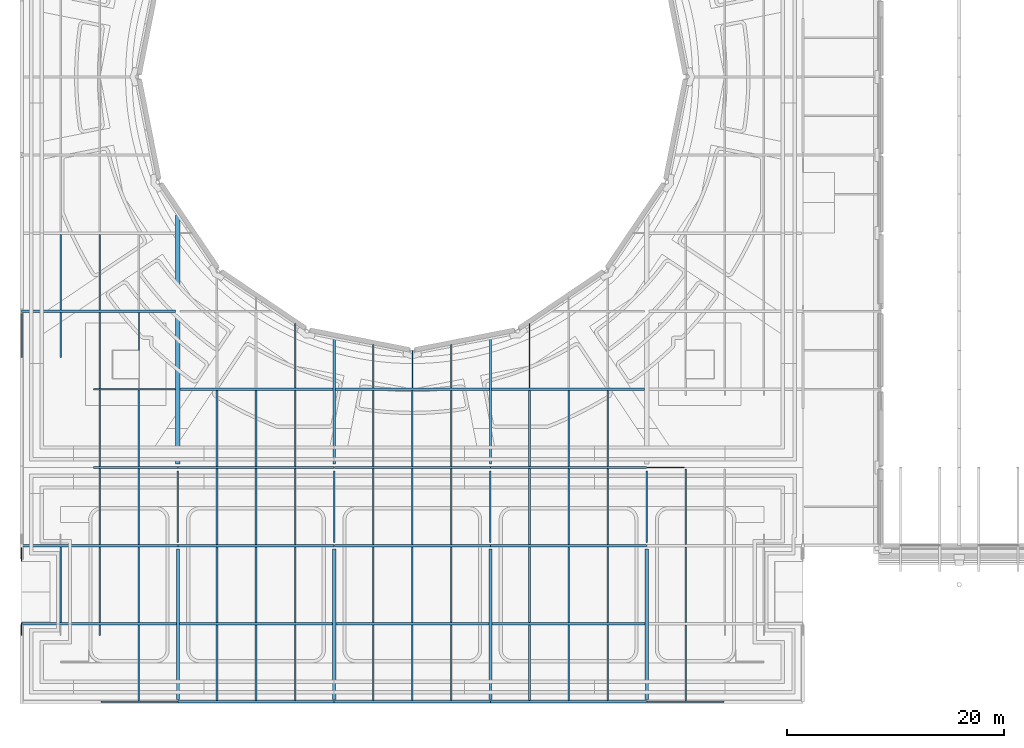
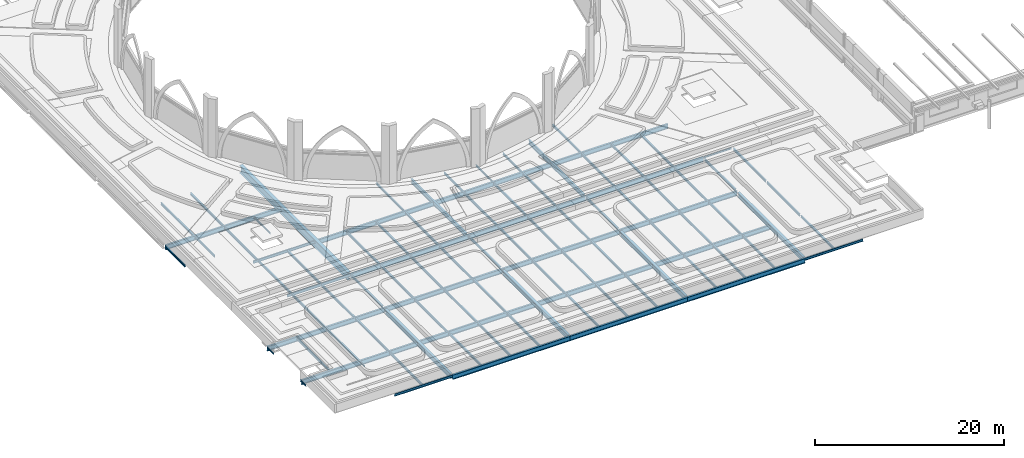
# One storey, part 20 of 110: 95 beams.
"""IFC4 building model written with IfcOpenShell, lengths in metres."""

from ifc_helpers import new_model, si_unit, direction, frame, origin, origin_2d, place, context, subcontext, project, spatial, i_section, extrude, material, material_profile, profile_set, type_object, element, save


model = new_model("IFC4")

# Units and contexts
model_context = context("Model", 3, precision=1e-05, world=origin(), true_north=direction((0.0, 1.0)))
body_context = subcontext(model_context, "Body", "Model", "MODEL_VIEW")
ifc_project = project(units=[si_unit("LENGTHUNIT", "METRE"), si_unit("AREAUNIT", "SQUARE_METRE"), si_unit("VOLUMEUNIT", "CUBIC_METRE"), si_unit("PLANEANGLEUNIT", "RADIAN"), si_unit("MASSUNIT", "GRAM", prefix="KILO")], contexts=[model_context])

# Site, building, storey
site_placement = place(None, origin())
site = spatial("IfcSite", under=ifc_project, at=site_placement, CompositionType="ELEMENT")
building_placement = place(site_placement, origin())
building = spatial("IfcBuilding", under=site, at=building_placement, Name="Kupolbacken Congress Centre", CompositionType="ELEMENT")
storey_placement = place(building_placement, frame((0.0, 0.0, 18.0)))
storey = spatial("IfcBuildingStorey", under=building, at=storey_placement, Name="L05", CompositionType="ELEMENT", Elevation=18.0)

# Beams
ifc_material_1 = material(Name="Steel S355", Category="steel")
ifc_material_profile_1 = material_profile(ifc_material_1, i_section(OverallWidth=0.10009765625, OverallDepth=0.199951171875, WebThickness=0.005615234375, FlangeThickness=0.008544921875, FilletRadius=0.011962890625, at=origin_2d()), Name="IPE 200")
ifc_profile_set_1 = profile_set([ifc_material_profile_1], Name="Steel S355")
beam_type_1 = type_object("IfcBeamType", Name="B01 beam IPE 200", PredefinedType="BEAM", material=ifc_profile_set_1)
beam_1_placement = place(storey_placement, frame((7.199951171875, 34.925048828125, -0.280029296875), z_axis=(0.0, 1.0, 0.0), x_axis=(-1.0, 0.0, 0.0)))
element("IfcBeam", 1, at=beam_1_placement, inside=storey, type_object=beam_type_1, Name="S/floor/F/L05/G001", PredefinedType="BEAM", context=body_context, shape_type="SweptSolid", body=[
    extrude(i_section(OverallWidth=0.10009765625, OverallDepth=0.199951171875, WebThickness=0.005615234375, FlangeThickness=0.008544921875, FilletRadius=0.011962890625, at=origin_2d()), origin(), (0.0, 0.0, 1.0), 1.184814453125),
])
beam_2_placement = place(storey_placement, frame((7.199951171875, 41.75, -0.280029296875), z_axis=(0.0, 1.0, 0.0), x_axis=(-1.0, 0.0, 0.0)))
element("IfcBeam", 2, at=beam_2_placement, inside=storey, type_object=beam_type_1, Name="S/floor/F/L05/G002", PredefinedType="BEAM", context=body_context, shape_type="SweptSolid", body=[
    extrude(i_section(OverallWidth=0.10009765625, OverallDepth=0.199951171875, WebThickness=0.005615234375, FlangeThickness=0.008544921875, FilletRadius=0.011962890625, at=origin_2d()), origin(), (0.0, 0.0, 1.0), 1.300048828125),
])
beam_3_placement = place(storey_placement, frame((64.807861328125, 50.39990234375, -0.280029296875), z_axis=(1.0, 0.0, 0.0), x_axis=(0.0, 1.0, 0.0)))
element("IfcBeam", 3, at=beam_3_placement, inside=storey, type_object=beam_type_1, Name="S/floor/F/L05/R034", PredefinedType="BEAM", context=body_context, shape_type="SweptSolid", body=[
    extrude(i_section(OverallWidth=0.10009765625, OverallDepth=0.199951171875, WebThickness=0.005615234375, FlangeThickness=0.008544921875, FilletRadius=0.011962890625, at=origin_2d()), origin(), (0.0, 0.0, 1.0), 3.467041015625),
])
beam_4_placement = place(storey_placement, frame((14.39990234375, 34.89990234375, -0.280029296875), z_axis=(0.0, 1.0, 0.0), x_axis=(-1.0, 0.0, 0.0)))
element("IfcBeam", 4, at=beam_4_placement, inside=storey, type_object=beam_type_1, Name="S/floor/F/L05/S038", PredefinedType="BEAM", context=body_context, shape_type="SweptSolid", body=[
    extrude(i_section(OverallWidth=0.10009765625, OverallDepth=0.199951171875, WebThickness=0.005615234375, FlangeThickness=0.008544921875, FilletRadius=0.011962890625, at=origin_2d()), origin(), (0.0, 0.0, 1.0), 0.989990234375),
])
beam_5_placement = place(storey_placement, frame((43.199951171875, 57.7099609375, -0.280029296875), z_axis=(0.0, 1.0, 0.0), x_axis=(-1.0, 0.0, 0.0)))
element("IfcBeam", 5, at=beam_5_placement, inside=storey, type_object=beam_type_1, Name="S/floor/P/L05/S117", PredefinedType="BEAM", context=body_context, shape_type="SweptSolid", body=[
    extrude(i_section(OverallWidth=0.10009765625, OverallDepth=0.199951171875, WebThickness=0.005615234375, FlangeThickness=0.008544921875, FilletRadius=0.011962890625, at=origin_2d()), origin(), (0.0, 0.0, 1.0), 3.4833984375),
])
beam_6_placement = place(storey_placement, frame((18.0, 61.199951171875, -0.280029296875), z_axis=(0.0, 1.0, 0.0), x_axis=(-1.0, 0.0, 0.0)))
element("IfcBeam", 6, at=beam_6_placement, inside=storey, type_object=beam_type_1, Name="S/floor/P/L05/S163", PredefinedType="BEAM", context=body_context, shape_type="SweptSolid", body=[
    extrude(i_section(OverallWidth=0.10009765625, OverallDepth=0.199951171875, WebThickness=0.005615234375, FlangeThickness=0.008544921875, FilletRadius=0.011962890625, at=origin_2d()), origin(), (0.0, 0.0, 1.0), 3.489990234375),
])
ifc_material_2 = material(Name="Steel S355", Category="steel")
ifc_material_profile_2 = material_profile(ifc_material_2, i_section(OverallWidth=0.135009765625, OverallDepth=0.27001953125, WebThickness=0.006591796875, FlangeThickness=0.01025390625, FilletRadius=0.014892578125, at=origin_2d()), Name="IPE 270")
ifc_profile_set_2 = profile_set([ifc_material_profile_2], Name="Steel S355")
beam_type_2 = type_object("IfcBeamType", Name="B03 beam IPE 270", PredefinedType="BEAM", material=ifc_profile_set_2)
beam_7_placement = place(storey_placement, frame((7.199951171875, 60.52490234375, -0.31494140625), z_axis=(0.0, 1.0, 0.0), x_axis=(-1.0, 0.0, 0.0)))
element("IfcBeam", 7, at=beam_7_placement, inside=storey, type_object=beam_type_2, Name="S/floor/P/L05/G017", PredefinedType="BEAM", context=body_context, shape_type="SweptSolid", body=[
    extrude(i_section(OverallWidth=0.135009765625, OverallDepth=0.27001953125, WebThickness=0.006591796875, FlangeThickness=0.01025390625, FilletRadius=0.014892578125, at=origin_2d()), origin(), (0.0, 0.0, 1.0), 4.050048828125),
])
beam_8_placement = place(storey_placement, frame((10.800048828125, 60.52490234375, -0.31494140625), z_axis=(0.0, 1.0, 0.0), x_axis=(-1.0, 0.0, 0.0)))
element("IfcBeam", 8, at=beam_8_placement, inside=storey, type_object=beam_type_2, Name="S/floor/P/L05/S076", PredefinedType="BEAM", context=body_context, shape_type="SweptSolid", body=[
    extrude(i_section(OverallWidth=0.135009765625, OverallDepth=0.27001953125, WebThickness=0.006591796875, FlangeThickness=0.01025390625, FilletRadius=0.014892578125, at=origin_2d()), origin(), (0.0, 0.0, 1.0), 4.1650390625),
])
beam_9_placement = place(storey_placement, frame((32.39990234375, 57.7099609375, -0.31494140625), z_axis=(0.0, 1.0, 0.0), x_axis=(-1.0, 0.0, 0.0)))
element("IfcBeam", 9, at=beam_9_placement, inside=storey, type_object=beam_type_2, Name="S/floor/P/L05/S109", PredefinedType="BEAM", context=body_context, shape_type="SweptSolid", body=[
    extrude(i_section(OverallWidth=0.135009765625, OverallDepth=0.27001953125, WebThickness=0.006591796875, FlangeThickness=0.01025390625, FilletRadius=0.014892578125, at=origin_2d()), origin(), (0.0, 0.0, 1.0), 5.939697265625),
])
for number, where, z_axis, x_axis, name in (
    (10, (39.60009765625, 57.7099609375, -0.31494140625), (0.0, 1.0, 0.0), (-1.0, 0.0, 0.0), "S/floor/P/L05/S113"),
    (11, (46.800048828125, 57.7099609375, -0.31494140625), (0.0, 1.0, 0.0), (-1.0, 0.0, 0.0), "S/floor/P/L05/S121"),
):
    element("IfcBeam", number, at=place(storey_placement, frame(where, z_axis=z_axis, x_axis=x_axis)), inside=storey, type_object=beam_type_2, Name=name, PredefinedType="BEAM", context=body_context, shape_type="SweptSolid", body=[
        extrude(i_section(OverallWidth=0.135009765625, OverallDepth=0.27001953125, WebThickness=0.006591796875, FlangeThickness=0.01025390625, FilletRadius=0.014892578125, at=origin_2d()), origin(), (0.0, 0.0, 1.0), 4.03271484375),
    ])
beam_10_placement = place(storey_placement, frame((54.0, 57.7099609375, -0.31494140625), z_axis=(0.0, 1.0, 0.0), x_axis=(-1.0, 0.0, 0.0)))
element("IfcBeam", 12, at=beam_10_placement, inside=storey, type_object=beam_type_2, Name="S/floor/P/L05/S125", PredefinedType="BEAM", context=body_context, shape_type="SweptSolid", body=[
    extrude(i_section(OverallWidth=0.135009765625, OverallDepth=0.27001953125, WebThickness=0.006591796875, FlangeThickness=0.01025390625, FilletRadius=0.014892578125, at=origin_2d()), origin(), (0.0, 0.0, 1.0), 5.939697265625),
])
ifc_material_3 = material(Name="Steel S355", Category="steel")
ifc_material_profile_3 = material_profile(ifc_material_3, i_section(OverallWidth=0.14990234375, OverallDepth=0.300048828125, WebThickness=0.007080078125, FlangeThickness=0.0107421875, FilletRadius=0.014892578125, at=origin_2d()), Name="IPE 300")
ifc_profile_set_3 = profile_set([ifc_material_profile_3], Name="Steel S355")
beam_type_3 = type_object("IfcBeamType", Name="B04 beam IPE 300", PredefinedType="BEAM", material=ifc_profile_set_3)
for number, where, z_axis, x_axis, name in (
    (13, (21.60009765625, 43.5, -0.330078125), (0.0, 1.0, 0.0), (-1.0, 0.0, 0.0), "S/floor/F/L05/G005"),
    (14, (36.0, 43.5, -0.330078125), (0.0, 1.0, 0.0), (-1.0, 0.0, 0.0), "S/floor/F/L05/G007"),
    (15, (50.39990234375, 43.5, -0.330078125), (0.0, 1.0, 0.0), (-1.0, 0.0, 0.0), "S/floor/F/L05/G009"),
    (16, (64.800048828125, 43.5, -0.330078125), (0.0, 1.0, 0.0), (-1.0, 0.0, 0.0), "S/floor/F/L05/G011"),
):
    element("IfcBeam", number, at=place(storey_placement, frame(where, z_axis=z_axis, x_axis=x_axis)), inside=storey, type_object=beam_type_3, Name=name, PredefinedType="BEAM", context=body_context, shape_type="SweptSolid", body=[
        extrude(i_section(OverallWidth=0.14990234375, OverallDepth=0.300048828125, WebThickness=0.007080078125, FlangeThickness=0.0107421875, FilletRadius=0.014892578125, at=origin_2d()), origin(), (0.0, 0.0, 1.0), 6.60009765625),
    ])
for number, where, z_axis, x_axis, name in (
    (17, (14.5, 28.800048828125, -0.330078125), (1.0, 0.0, 0.0), (0.0, 1.0, 0.0), "S/floor/F/L05/R015"),
    (18, (64.806884765625, 28.800048828125, -0.330078125), (1.0, 0.0, 0.0), (0.0, 1.0, 0.0), "S/floor/F/L05/R019"),
):
    element("IfcBeam", number, at=place(storey_placement, frame(where, z_axis=z_axis, x_axis=x_axis)), inside=storey, type_object=beam_type_3, Name=name, PredefinedType="BEAM", context=body_context, shape_type="SweptSolid", body=[
        extrude(i_section(OverallWidth=0.14990234375, OverallDepth=0.300048828125, WebThickness=0.007080078125, FlangeThickness=0.0107421875, FilletRadius=0.014892578125, at=origin_2d()), origin(), (0.0, 0.0, 1.0), 7.093017578125),
    ])
for number, where, z_axis, x_axis, name in (
    (19, (10.800048828125, 36.110107421875, -0.330078125), (0.0, 1.0, 0.0), (-1.0, 0.0, 0.0), "S/floor/F/L05/S036"),
    (20, (14.39990234375, 36.110107421875, -0.330078125), (0.0, 1.0, 0.0), (-1.0, 0.0, 0.0), "S/floor/F/L05/S039"),
):
    element("IfcBeam", number, at=place(storey_placement, frame(where, z_axis=z_axis, x_axis=x_axis)), inside=storey, type_object=beam_type_3, Name=name, PredefinedType="BEAM", context=body_context, shape_type="SweptSolid", body=[
        extrude(i_section(OverallWidth=0.14990234375, OverallDepth=0.300048828125, WebThickness=0.007080078125, FlangeThickness=0.0107421875, FilletRadius=0.014892578125, at=origin_2d()), origin(), (0.0, 0.0, 1.0), 6.97998046875),
    ])
beam_11_placement = place(storey_placement, frame((14.39990234375, 43.31005859375, -0.330078125), z_axis=(0.0, 1.0, 0.0), x_axis=(-1.0, 0.0, 0.0)))
element("IfcBeam", 21, at=beam_11_placement, inside=storey, type_object=beam_type_3, Name="S/floor/F/L05/S040", PredefinedType="BEAM", context=body_context, shape_type="SweptSolid", body=[
    extrude(i_section(OverallWidth=0.14990234375, OverallDepth=0.300048828125, WebThickness=0.007080078125, FlangeThickness=0.0107421875, FilletRadius=0.014892578125, at=origin_2d()), origin(), (0.0, 0.0, 1.0), 7.010009765625),
])
beam_12_placement = place(storey_placement, frame((18.0, 28.875, -0.330078125), z_axis=(0.0, 1.0, 0.0), x_axis=(-1.0, 0.0, 0.0)))
element("IfcBeam", 22, at=beam_12_placement, inside=storey, type_object=beam_type_3, Name="S/floor/F/L05/S041", PredefinedType="BEAM", context=body_context, shape_type="SweptSolid", body=[
    extrude(i_section(OverallWidth=0.14990234375, OverallDepth=0.300048828125, WebThickness=0.007080078125, FlangeThickness=0.0107421875, FilletRadius=0.014892578125, at=origin_2d()), origin(), (0.0, 0.0, 1.0), 7.014892578125),
])
beam_13_placement = place(storey_placement, frame((18.0, 36.110107421875, -0.330078125), z_axis=(0.0, 1.0, 0.0), x_axis=(-1.0, 0.0, 0.0)))
element("IfcBeam", 23, at=beam_13_placement, inside=storey, type_object=beam_type_3, Name="S/floor/F/L05/S042", PredefinedType="BEAM", context=body_context, shape_type="SweptSolid", body=[
    extrude(i_section(OverallWidth=0.14990234375, OverallDepth=0.300048828125, WebThickness=0.007080078125, FlangeThickness=0.0107421875, FilletRadius=0.014892578125, at=origin_2d()), origin(), (0.0, 0.0, 1.0), 6.97998046875),
])
beam_14_placement = place(storey_placement, frame((18.0, 43.31005859375, -0.330078125), z_axis=(0.0, 1.0, 0.0), x_axis=(-1.0, 0.0, 0.0)))
element("IfcBeam", 24, at=beam_14_placement, inside=storey, type_object=beam_type_3, Name="S/floor/F/L05/S043", PredefinedType="BEAM", context=body_context, shape_type="SweptSolid", body=[
    extrude(i_section(OverallWidth=0.14990234375, OverallDepth=0.300048828125, WebThickness=0.007080078125, FlangeThickness=0.0107421875, FilletRadius=0.014892578125, at=origin_2d()), origin(), (0.0, 0.0, 1.0), 7.010009765625),
])
for number, where, z_axis, x_axis, name in (
    (25, (25.199951171875, 28.909912109375, -0.330078125), (0.0, 1.0, 0.0), (-1.0, 0.0, 0.0), "S/floor/F/L05/S044"),
    (26, (25.199951171875, 36.110107421875, -0.330078125), (0.0, 1.0, 0.0), (-1.0, 0.0, 0.0), "S/floor/F/L05/S045"),
    (27, (25.199951171875, 43.31005859375, -0.330078125), (0.0, 1.0, 0.0), (-1.0, 0.0, 0.0), "S/floor/F/L05/S046"),
    (28, (28.800048828125, 28.909912109375, -0.330078125), (0.0, 1.0, 0.0), (-1.0, 0.0, 0.0), "S/floor/F/L05/S047"),
    (29, (28.800048828125, 36.110107421875, -0.330078125), (0.0, 1.0, 0.0), (-1.0, 0.0, 0.0), "S/floor/F/L05/S048"),
    (30, (28.800048828125, 43.31005859375, -0.330078125), (0.0, 1.0, 0.0), (-1.0, 0.0, 0.0), "S/floor/F/L05/S049"),
    (31, (32.39990234375, 28.909912109375, -0.330078125), (0.0, 1.0, 0.0), (-1.0, 0.0, 0.0), "S/floor/F/L05/S050"),
    (32, (32.39990234375, 36.110107421875, -0.330078125), (0.0, 1.0, 0.0), (-1.0, 0.0, 0.0), "S/floor/F/L05/S051"),
    (33, (32.39990234375, 43.31005859375, -0.330078125), (0.0, 1.0, 0.0), (-1.0, 0.0, 0.0), "S/floor/F/L05/S052"),
    (34, (39.60009765625, 28.909912109375, -0.330078125), (0.0, 1.0, 0.0), (-1.0, 0.0, 0.0), "S/floor/F/L05/S053"),
    (35, (39.60009765625, 36.110107421875, -0.330078125), (0.0, 1.0, 0.0), (-1.0, 0.0, 0.0), "S/floor/F/L05/S054"),
    (36, (39.60009765625, 43.31005859375, -0.330078125), (0.0, 1.0, 0.0), (-1.0, 0.0, 0.0), "S/floor/F/L05/S055"),
    (37, (43.199951171875, 28.909912109375, -0.330078125), (0.0, 1.0, 0.0), (-1.0, 0.0, 0.0), "S/floor/F/L05/S056"),
    (38, (43.199951171875, 36.110107421875, -0.330078125), (0.0, 1.0, 0.0), (-1.0, 0.0, 0.0), "S/floor/F/L05/S057"),
    (39, (43.199951171875, 43.31005859375, -0.330078125), (0.0, 1.0, 0.0), (-1.0, 0.0, 0.0), "S/floor/F/L05/S058"),
    (40, (46.800048828125, 28.909912109375, -0.330078125), (0.0, 1.0, 0.0), (-1.0, 0.0, 0.0), "S/floor/F/L05/S059"),
    (41, (46.800048828125, 36.110107421875, -0.330078125), (0.0, 1.0, 0.0), (-1.0, 0.0, 0.0), "S/floor/F/L05/S060"),
    (42, (46.800048828125, 43.31005859375, -0.330078125), (0.0, 1.0, 0.0), (-1.0, 0.0, 0.0), "S/floor/F/L05/S061"),
    (43, (54.0, 28.909912109375, -0.330078125), (0.0, 1.0, 0.0), (-1.0, 0.0, 0.0), "S/floor/F/L05/S062"),
    (44, (54.0, 36.110107421875, -0.330078125), (0.0, 1.0, 0.0), (-1.0, 0.0, 0.0), "S/floor/F/L05/S063"),
    (45, (54.0, 43.31005859375, -0.330078125), (0.0, 1.0, 0.0), (-1.0, 0.0, 0.0), "S/floor/F/L05/S064"),
    (46, (57.60009765625, 28.909912109375, -0.330078125), (0.0, 1.0, 0.0), (-1.0, 0.0, 0.0), "S/floor/F/L05/S065"),
    (47, (57.60009765625, 36.110107421875, -0.330078125), (0.0, 1.0, 0.0), (-1.0, 0.0, 0.0), "S/floor/F/L05/S066"),
    (48, (57.60009765625, 43.31005859375, -0.330078125), (0.0, 1.0, 0.0), (-1.0, 0.0, 0.0), "S/floor/F/L05/S067"),
    (49, (61.199951171875, 28.909912109375, -0.330078125), (0.0, 1.0, 0.0), (-1.0, 0.0, 0.0), "S/floor/F/L05/S068"),
    (50, (61.199951171875, 36.110107421875, -0.330078125), (0.0, 1.0, 0.0), (-1.0, 0.0, 0.0), "S/floor/F/L05/S069"),
    (51, (61.199951171875, 43.31005859375, -0.330078125), (0.0, 1.0, 0.0), (-1.0, 0.0, 0.0), "S/floor/F/L05/S070"),
):
    element("IfcBeam", number, at=place(storey_placement, frame(where, z_axis=z_axis, x_axis=x_axis)), inside=storey, type_object=beam_type_3, Name=name, PredefinedType="BEAM", context=body_context, shape_type="SweptSolid", body=[
        extrude(i_section(OverallWidth=0.14990234375, OverallDepth=0.300048828125, WebThickness=0.007080078125, FlangeThickness=0.0107421875, FilletRadius=0.014892578125, at=origin_2d()), origin(), (0.0, 0.0, 1.0), 6.97998046875),
    ])
beam_15_placement = place(storey_placement, frame((68.39990234375, 28.875, -0.330078125), z_axis=(0.0, 1.0, 0.0), x_axis=(-1.0, 0.0, 0.0)))
element("IfcBeam", 52, at=beam_15_placement, inside=storey, type_object=beam_type_3, Name="S/floor/F/L05/S071", PredefinedType="BEAM", context=body_context, shape_type="SweptSolid", body=[
    extrude(i_section(OverallWidth=0.14990234375, OverallDepth=0.300048828125, WebThickness=0.007080078125, FlangeThickness=0.0107421875, FilletRadius=0.014892578125, at=origin_2d()), origin(), (0.0, 0.0, 1.0), 7.014892578125),
])
beam_16_placement = place(storey_placement, frame((68.39990234375, 36.110107421875, -0.330078125), z_axis=(0.0, 1.0, 0.0), x_axis=(-1.0, 0.0, 0.0)))
element("IfcBeam", 53, at=beam_16_placement, inside=storey, type_object=beam_type_3, Name="S/floor/F/L05/S072", PredefinedType="BEAM", context=body_context, shape_type="SweptSolid", body=[
    extrude(i_section(OverallWidth=0.14990234375, OverallDepth=0.300048828125, WebThickness=0.007080078125, FlangeThickness=0.0107421875, FilletRadius=0.014892578125, at=origin_2d()), origin(), (0.0, 0.0, 1.0), 6.97998046875),
])
beam_17_placement = place(storey_placement, frame((68.39990234375, 43.31005859375, -0.330078125), z_axis=(0.0, 1.0, 0.0), x_axis=(-1.0, 0.0, 0.0)))
element("IfcBeam", 54, at=beam_17_placement, inside=storey, type_object=beam_type_3, Name="S/floor/F/L05/S073", PredefinedType="BEAM", context=body_context, shape_type="SweptSolid", body=[
    extrude(i_section(OverallWidth=0.14990234375, OverallDepth=0.300048828125, WebThickness=0.007080078125, FlangeThickness=0.0107421875, FilletRadius=0.014892578125, at=origin_2d()), origin(), (0.0, 0.0, 1.0), 6.96484375),
])
beam_18_placement = place(storey_placement, frame((10.800048828125, 64.909912109375, -0.330078125), z_axis=(0.0, 1.0, 0.0), x_axis=(-1.0, 0.0, 0.0)))
element("IfcBeam", 55, at=beam_18_placement, inside=storey, type_object=beam_type_3, Name="S/floor/P/L05/S077", PredefinedType="BEAM", context=body_context, shape_type="SweptSolid", body=[
    extrude(i_section(OverallWidth=0.14990234375, OverallDepth=0.300048828125, WebThickness=0.007080078125, FlangeThickness=0.0107421875, FilletRadius=0.014892578125, at=origin_2d()), origin(), (0.0, 0.0, 1.0), 6.97998046875),
])
beam_19_placement = place(storey_placement, frame((14.39990234375, 50.48095703125, -0.330078125), z_axis=(0.0, 1.0, 0.0), x_axis=(-1.0, 0.0, 0.0)))
element("IfcBeam", 56, at=beam_19_placement, inside=storey, type_object=beam_type_3, Name="S/floor/P/L05/S085", PredefinedType="BEAM", context=body_context, shape_type="SweptSolid", body=[
    extrude(i_section(OverallWidth=0.14990234375, OverallDepth=0.300048828125, WebThickness=0.007080078125, FlangeThickness=0.0107421875, FilletRadius=0.014892578125, at=origin_2d()), origin(), (0.0, 0.0, 1.0), 7.0390625),
])
beam_20_placement = place(storey_placement, frame((14.39990234375, 57.679931640625, -0.330078125), z_axis=(0.0, 1.0, 0.0), x_axis=(-1.0, 0.0, 0.0)))
element("IfcBeam", 57, at=beam_20_placement, inside=storey, type_object=beam_type_3, Name="S/floor/P/L05/S086", PredefinedType="BEAM", context=body_context, shape_type="SweptSolid", body=[
    extrude(i_section(OverallWidth=0.14990234375, OverallDepth=0.300048828125, WebThickness=0.007080078125, FlangeThickness=0.0107421875, FilletRadius=0.014892578125, at=origin_2d()), origin(), (0.0, 0.0, 1.0), 7.010009765625),
])
for number, where, z_axis, x_axis, name in (
    (58, (14.39990234375, 64.909912109375, -0.330078125), (0.0, 1.0, 0.0), (-1.0, 0.0, 0.0), "S/floor/P/L05/S087"),
    (59, (25.199951171875, 50.510009765625, -0.330078125), (0.0, 1.0, 0.0), (-1.0, 0.0, 0.0), "S/floor/P/L05/S096"),
    (60, (28.800048828125, 50.510009765625, -0.330078125), (0.0, 1.0, 0.0), (-1.0, 0.0, 0.0), "S/floor/P/L05/S102"),
    (61, (32.39990234375, 50.510009765625, -0.330078125), (0.0, 1.0, 0.0), (-1.0, 0.0, 0.0), "S/floor/P/L05/S108"),
    (62, (39.60009765625, 50.510009765625, -0.330078125), (0.0, 1.0, 0.0), (-1.0, 0.0, 0.0), "S/floor/P/L05/S112"),
    (63, (43.199951171875, 50.510009765625, -0.330078125), (0.0, 1.0, 0.0), (-1.0, 0.0, 0.0), "S/floor/P/L05/S116"),
    (64, (46.800048828125, 50.510009765625, -0.330078125), (0.0, 1.0, 0.0), (-1.0, 0.0, 0.0), "S/floor/P/L05/S120"),
    (65, (54.0, 50.510009765625, -0.330078125), (0.0, 1.0, 0.0), (-1.0, 0.0, 0.0), "S/floor/P/L05/S124"),
    (66, (57.60009765625, 50.510009765625, -0.330078125), (0.0, 1.0, 0.0), (-1.0, 0.0, 0.0), "S/floor/P/L05/S128"),
    (67, (61.199951171875, 50.510009765625, -0.330078125), (0.0, 1.0, 0.0), (-1.0, 0.0, 0.0), "S/floor/P/L05/S134"),
):
    element("IfcBeam", number, at=place(storey_placement, frame(where, z_axis=z_axis, x_axis=x_axis)), inside=storey, type_object=beam_type_3, Name=name, PredefinedType="BEAM", context=body_context, shape_type="SweptSolid", body=[
        extrude(i_section(OverallWidth=0.14990234375, OverallDepth=0.300048828125, WebThickness=0.007080078125, FlangeThickness=0.0107421875, FilletRadius=0.014892578125, at=origin_2d()), origin(), (0.0, 0.0, 1.0), 6.97998046875),
    ])
beam_21_placement = place(storey_placement, frame((18.0, 50.48095703125, -0.330078125), z_axis=(0.0, 1.0, 0.0), x_axis=(-1.0, 0.0, 0.0)))
element("IfcBeam", 68, at=beam_21_placement, inside=storey, type_object=beam_type_3, Name="S/floor/P/L05/S161", PredefinedType="BEAM", context=body_context, shape_type="SweptSolid", body=[
    extrude(i_section(OverallWidth=0.14990234375, OverallDepth=0.300048828125, WebThickness=0.007080078125, FlangeThickness=0.0107421875, FilletRadius=0.014892578125, at=origin_2d()), origin(), (0.0, 0.0, 1.0), 7.0390625),
])
ifc_material_4 = material(Name="Steel S355", Category="steel")
ifc_material_profile_4 = material_profile(ifc_material_4, i_section(OverallWidth=0.159912109375, OverallDepth=0.330078125, WebThickness=0.007568359375, FlangeThickness=0.011474609375, FilletRadius=0.01806640625, at=origin_2d()), Name="IPE 330")
ifc_profile_set_4 = profile_set([ifc_material_profile_4], Name="Steel S355")
beam_type_4 = type_object("IfcBeamType", Name="B05 beam IPE 330", PredefinedType="BEAM", material=ifc_profile_set_4)
beam_22_placement = place(storey_placement, frame((13.824951171875, 50.39990234375, -0.344970703125), z_axis=(1.0, 0.0, 0.0), x_axis=(0.0, 1.0, 0.0)))
element("IfcBeam", 69, at=beam_22_placement, inside=storey, type_object=beam_type_4, Name="S/floor/F/L05/R030", PredefinedType="BEAM", context=body_context, shape_type="SweptSolid", body=[
    extrude(i_section(OverallWidth=0.159912109375, OverallDepth=0.330078125, WebThickness=0.007568359375, FlangeThickness=0.011474609375, FilletRadius=0.01806640625, at=origin_2d()), origin(), (0.0, 0.0, 1.0), 7.767333984375),
])
beam_23_placement = place(storey_placement, frame((13.824951171875, 57.60009765625, -0.344970703125), z_axis=(1.0, 0.0, 0.0), x_axis=(0.0, 1.0, 0.0)))
element("IfcBeam", 70, at=beam_23_placement, inside=storey, type_object=beam_type_4, Name="S/floor/P/L05/R038", PredefinedType="BEAM", context=body_context, shape_type="SweptSolid", body=[
    extrude(i_section(OverallWidth=0.159912109375, OverallDepth=0.330078125, WebThickness=0.007568359375, FlangeThickness=0.011474609375, FilletRadius=0.01806640625, at=origin_2d()), origin(), (0.0, 0.0, 1.0), 7.574951171875),
])
ifc_material_5 = material(Name="Steel S355", Category="steel")
ifc_material_profile_5 = material_profile(ifc_material_5, i_section(OverallWidth=0.2099609375, OverallDepth=0.550048828125, WebThickness=0.010986328125, FlangeThickness=0.01708984375, FilletRadius=0.02392578125, at=origin_2d()), Name="IPE 550")
ifc_profile_set_5 = profile_set([ifc_material_profile_5], Name="Steel S355")
beam_type_5 = type_object("IfcBeamType", Name="B10 beam IPE 550", PredefinedType="BEAM", material=ifc_profile_set_5)
for number, where, z_axis, x_axis, name in (
    (71, (36.0, 50.699951171875, -0.455078125), (0.0, 1.0, 0.0), (-1.0, 0.0, 0.0), "S/floor/P/L05/G025"),
    (72, (50.39990234375, 50.699951171875, -0.455078125), (0.0, 1.0, 0.0), (-1.0, 0.0, 0.0), "S/floor/P/L05/G027"),
):
    element("IfcBeam", number, at=place(storey_placement, frame(where, z_axis=z_axis, x_axis=x_axis)), inside=storey, type_object=beam_type_5, Name=name, PredefinedType="BEAM", context=body_context, shape_type="SweptSolid", body=[
        extrude(i_section(OverallWidth=0.2099609375, OverallDepth=0.550048828125, WebThickness=0.010986328125, FlangeThickness=0.01708984375, FilletRadius=0.02392578125, at=origin_2d()), origin(), (0.0, 0.0, 1.0), 11.744140625),
    ])
ifc_material_6 = material(Name="Steel S355", Category="steel")
ifc_material_profile_6 = material_profile(ifc_material_6, i_section(OverallWidth=0.219970703125, OverallDepth=0.60009765625, WebThickness=0.011962890625, FlangeThickness=0.01904296875, FilletRadius=0.02392578125, at=origin_2d()), Name="IPE 600")
ifc_profile_set_6 = profile_set([ifc_material_profile_6], Name="Steel S355")
beam_type_6 = type_object("IfcBeamType", Name="B11 beam IPE 600", PredefinedType="BEAM", material=ifc_profile_set_6)
for number, where, z_axis, x_axis, name in (
    (73, (21.60693359375, 28.800048828125, -0.47998046875), (1.0, 0.0, 0.0), (0.0, 1.0, 0.0), "S/floor/F/L05/R016"),
    (74, (36.007080078125, 28.800048828125, -0.47998046875), (1.0, 0.0, 0.0), (0.0, 1.0, 0.0), "S/floor/F/L05/R017"),
    (75, (50.406982421875, 28.800048828125, -0.47998046875), (1.0, 0.0, 0.0), (0.0, 1.0, 0.0), "S/floor/F/L05/R018"),
):
    element("IfcBeam", number, at=place(storey_placement, frame(where, z_axis=z_axis, x_axis=x_axis)), inside=storey, type_object=beam_type_6, Name=name, PredefinedType="BEAM", context=body_context, shape_type="SweptSolid", body=[
        extrude(i_section(OverallWidth=0.219970703125, OverallDepth=0.60009765625, WebThickness=0.011962890625, FlangeThickness=0.01904296875, FilletRadius=0.02392578125, at=origin_2d()), origin(), (0.0, 0.0, 1.0), 14.385986328125),
    ])
beam_24_placement = place(storey_placement, frame((7.25, 36.0, -0.47998046875), z_axis=(1.0, 0.0, 0.0), x_axis=(0.0, 1.0, 0.0)))
element("IfcBeam", 76, at=beam_24_placement, inside=storey, type_object=beam_type_6, Name="S/floor/F/L05/R020", PredefinedType="BEAM", context=body_context, shape_type="SweptSolid", body=[
    extrude(i_section(OverallWidth=0.219970703125, OverallDepth=0.60009765625, WebThickness=0.011962890625, FlangeThickness=0.01904296875, FilletRadius=0.02392578125, at=origin_2d()), origin(), (0.0, 0.0, 1.0), 14.199951171875),
])
for number, where, z_axis, x_axis, name in (
    (77, (21.75, 36.0, -0.47998046875), (1.0, 0.0, 0.0), (0.0, 1.0, 0.0), "S/floor/F/L05/R021"),
    (78, (36.14990234375, 36.0, -0.47998046875), (1.0, 0.0, 0.0), (0.0, 1.0, 0.0), "S/floor/F/L05/R022"),
):
    element("IfcBeam", number, at=place(storey_placement, frame(where, z_axis=z_axis, x_axis=x_axis)), inside=storey, type_object=beam_type_6, Name=name, PredefinedType="BEAM", context=body_context, shape_type="SweptSolid", body=[
        extrude(i_section(OverallWidth=0.219970703125, OverallDepth=0.60009765625, WebThickness=0.011962890625, FlangeThickness=0.01904296875, FilletRadius=0.02392578125, at=origin_2d()), origin(), (0.0, 0.0, 1.0), 14.10009765625),
    ])
beam_25_placement = place(storey_placement, frame((50.550048828125, 36.0, -0.47998046875), z_axis=(1.0, 0.0, 0.0), x_axis=(0.0, 1.0, 0.0)))
element("IfcBeam", 79, at=beam_25_placement, inside=storey, type_object=beam_type_6, Name="S/floor/F/L05/R023", PredefinedType="BEAM", context=body_context, shape_type="SweptSolid", body=[
    extrude(i_section(OverallWidth=0.219970703125, OverallDepth=0.60009765625, WebThickness=0.011962890625, FlangeThickness=0.01904296875, FilletRadius=0.02392578125, at=origin_2d()), origin(), (0.0, 0.0, 1.0), 14.099853515625),
])
beam_26_placement = place(storey_placement, frame((7.20556640625, 43.199951171875, -0.47998046875), z_axis=(1.0, 0.0, 0.0), x_axis=(0.0, 1.0, 0.0)))
element("IfcBeam", 80, at=beam_26_placement, inside=storey, type_object=beam_type_6, Name="S/floor/F/L05/R025", PredefinedType="BEAM", context=body_context, shape_type="SweptSolid", body=[
    extrude(i_section(OverallWidth=0.219970703125, OverallDepth=0.60009765625, WebThickness=0.011962890625, FlangeThickness=0.01904296875, FilletRadius=0.02392578125, at=origin_2d()), origin(), (0.0, 0.0, 1.0), 14.38671875),
])
for number, where, z_axis, x_axis, name in (
    (81, (21.607666015625, 43.199951171875, -0.47998046875), (1.0, 0.0, 0.0), (0.0, 1.0, 0.0), "S/floor/F/L05/R026"),
    (82, (36.0078125, 43.199951171875, -0.47998046875), (1.0, 0.0, 0.0), (0.0, 1.0, 0.0), "S/floor/F/L05/R027"),
    (83, (50.40771484375, 43.199951171875, -0.47998046875), (1.0, 0.0, 0.0), (0.0, 1.0, 0.0), "S/floor/F/L05/R028"),
    (84, (21.607666015625, 50.39990234375, -0.47998046875), (1.0, 0.0, 0.0), (0.0, 1.0, 0.0), "S/floor/F/L05/R031"),
    (85, (36.0078125, 50.39990234375, -0.47998046875), (1.0, 0.0, 0.0), (0.0, 1.0, 0.0), "S/floor/F/L05/R032"),
    (86, (50.40771484375, 50.39990234375, -0.47998046875), (1.0, 0.0, 0.0), (0.0, 1.0, 0.0), "S/floor/F/L05/R033"),
):
    element("IfcBeam", number, at=place(storey_placement, frame(where, z_axis=z_axis, x_axis=x_axis)), inside=storey, type_object=beam_type_6, Name=name, PredefinedType="BEAM", context=body_context, shape_type="SweptSolid", body=[
        extrude(i_section(OverallWidth=0.219970703125, OverallDepth=0.60009765625, WebThickness=0.011962890625, FlangeThickness=0.01904296875, FilletRadius=0.02392578125, at=origin_2d()), origin(), (0.0, 0.0, 1.0), 14.384521484375),
    ])
beam_27_placement = place(storey_placement, frame((21.800048828125, 57.60009765625, -0.47998046875), z_axis=(1.0, 0.0, 0.0), x_axis=(0.0, 1.0, 0.0)))
element("IfcBeam", 87, at=beam_27_placement, inside=storey, type_object=beam_type_6, Name="S/floor/P/L05/R039", PredefinedType="BEAM", context=body_context, shape_type="SweptSolid", body=[
    extrude(i_section(OverallWidth=0.219970703125, OverallDepth=0.60009765625, WebThickness=0.011962890625, FlangeThickness=0.01904296875, FilletRadius=0.02392578125, at=origin_2d()), origin(), (0.0, 0.0, 1.0), 14.094970703125),
])
beam_28_placement = place(storey_placement, frame((36.10498046875, 57.60009765625, -0.47998046875), z_axis=(1.0, 0.0, 0.0), x_axis=(0.0, 1.0, 0.0)))
element("IfcBeam", 88, at=beam_28_placement, inside=storey, type_object=beam_type_6, Name="S/floor/P/L05/R040", PredefinedType="BEAM", context=body_context, shape_type="SweptSolid", body=[
    extrude(i_section(OverallWidth=0.219970703125, OverallDepth=0.60009765625, WebThickness=0.011962890625, FlangeThickness=0.01904296875, FilletRadius=0.02392578125, at=origin_2d()), origin(), (0.0, 0.0, 1.0), 14.18994140625),
])
beam_29_placement = place(storey_placement, frame((50.5048828125, 57.60009765625, -0.47998046875), z_axis=(1.0, 0.0, 0.0), x_axis=(0.0, 1.0, 0.0)))
element("IfcBeam", 89, at=beam_29_placement, inside=storey, type_object=beam_type_6, Name="S/floor/P/L05/R041", PredefinedType="BEAM", context=body_context, shape_type="SweptSolid", body=[
    extrude(i_section(OverallWidth=0.219970703125, OverallDepth=0.60009765625, WebThickness=0.011962890625, FlangeThickness=0.01904296875, FilletRadius=0.02392578125, at=origin_2d()), origin(), (0.0, 0.0, 1.0), 14.09521484375),
])
beam_30_placement = place(storey_placement, frame((7.20703125, 64.800048828125, -0.47998046875), z_axis=(1.0, 0.0, 0.0), x_axis=(0.0, 1.0, 0.0)))
element("IfcBeam", 90, at=beam_30_placement, inside=storey, type_object=beam_type_6, Name="S/floor/P/L05/R043", PredefinedType="BEAM", context=body_context, shape_type="SweptSolid", body=[
    extrude(i_section(OverallWidth=0.219970703125, OverallDepth=0.60009765625, WebThickness=0.011962890625, FlangeThickness=0.01904296875, FilletRadius=0.02392578125, at=origin_2d()), origin(), (0.0, 0.0, 1.0), 14.19287109375),
])
ifc_material_7 = material(Name="Steel S355", Category="steel")
ifc_material_profile_7 = material_profile(ifc_material_7, i_section(OverallWidth=0.300048828125, OverallDepth=0.60009765625, WebThickness=0.015380859375, FlangeThickness=0.030029296875, FilletRadius=0.027099609375, at=origin_2d()), Name="HEB 600")
ifc_profile_set_7 = profile_set([ifc_material_profile_7], Name="Steel S355")
beam_type_7 = type_object("IfcBeamType", Name="B15 beam HEB 600", PredefinedType="BEAM", material=ifc_profile_set_7)
for number, where, z_axis, x_axis, name in (
    (91, (21.60009765625, 29.02490234375, -0.47998046875), (0.0, 1.0, 0.0), (-1.0, 0.0, 0.0), "S/floor/F/L05/G004"),
    (92, (36.0, 29.02490234375, -0.47998046875), (0.0, 1.0, 0.0), (-1.0, 0.0, 0.0), "S/floor/F/L05/G006"),
    (93, (50.39990234375, 29.02490234375, -0.47998046875), (0.0, 1.0, 0.0), (-1.0, 0.0, 0.0), "S/floor/F/L05/G008"),
    (94, (64.800048828125, 29.02490234375, -0.47998046875), (0.0, 1.0, 0.0), (-1.0, 0.0, 0.0), "S/floor/F/L05/G010"),
):
    element("IfcBeam", number, at=place(storey_placement, frame(where, z_axis=z_axis, x_axis=x_axis)), inside=storey, type_object=beam_type_7, Name=name, PredefinedType="BEAM", context=body_context, shape_type="SweptSolid", body=[
        extrude(i_section(OverallWidth=0.300048828125, OverallDepth=0.60009765625, WebThickness=0.015380859375, FlangeThickness=0.030029296875, FilletRadius=0.027099609375, at=origin_2d()), origin(), (0.0, 0.0, 1.0), 13.875),
    ])
ifc_material_8 = material(Name="Steel S355", Category="steel")
ifc_material_profile_8 = material_profile(ifc_material_8, i_section(OverallWidth=0.39990234375, OverallDepth=1.0, WebThickness=0.02197265625, FlangeThickness=0.044921875, at=origin_2d()), Name="PG 1000 x 400")
ifc_profile_set_8 = profile_set([ifc_material_profile_8], Name="Steel S355")
beam_type_8 = type_object("IfcBeamType", Name="B23 beam PG 1000 x 400", PredefinedType="BEAM", material=ifc_profile_set_8)
beam_31_placement = place(storey_placement, frame((21.60009765625, 50.699951171875, -0.679931640625), z_axis=(0.0, 1.0, 0.0), x_axis=(-1.0, 0.0, 0.0)))
element("IfcBeam", 95, at=beam_31_placement, inside=storey, type_object=beam_type_8, Name="S/floor/P/L05/G022", PredefinedType="BEAM", context=body_context, shape_type="SweptSolid", body=[
    extrude(i_section(OverallWidth=0.39990234375, OverallDepth=1.0, WebThickness=0.02197265625, FlangeThickness=0.044921875, at=origin_2d()), origin(), (0.0, 0.0, 1.0), 22.966552734375),
])

save(model, "model.ifc")
